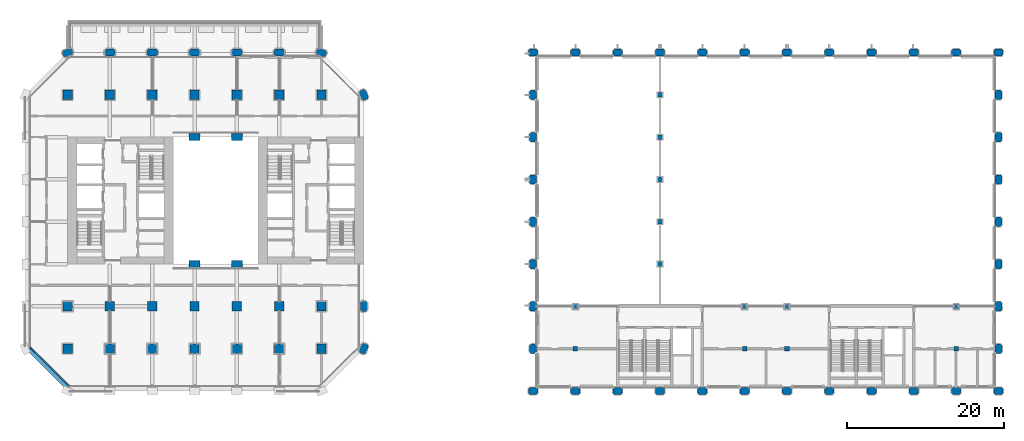
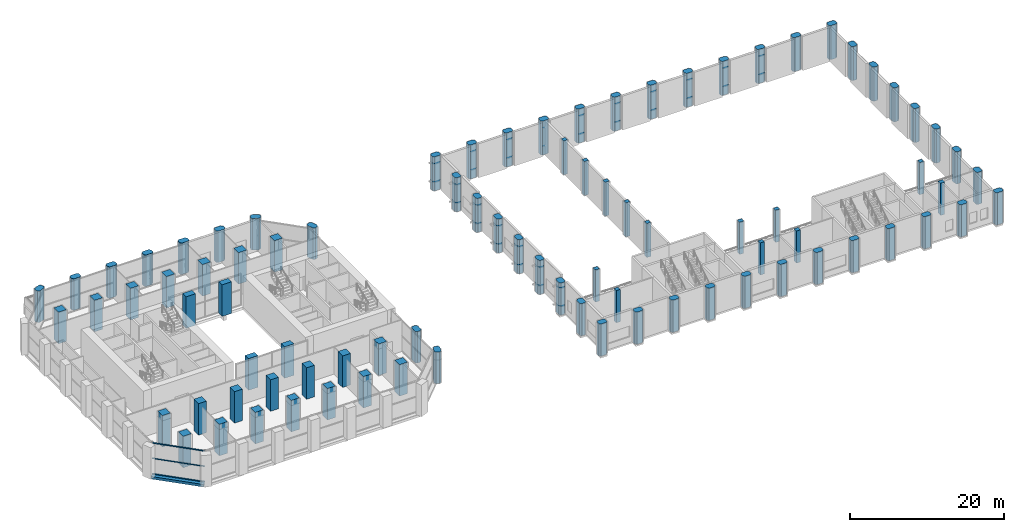
# One storey, part 1 of 27: 86 columns, 3 members, 1 beam, 1 element without a shape of its own.
"""IFC4 building model written with IfcOpenShell, lengths in metres."""

from ifc_helpers import new_model, si_unit, direction, frame, origin, origin_2d, place, context, subcontext, project, spatial, polyline, rectangle, outline, extrude, material, material_profile, profile_set, type_object, element, aggregate, save


model = new_model("IFC4")

# Units and contexts
model_context = context("Model", 3, precision=1e-05, world=origin(), true_north=direction((0.0, 1.0)))
body_context = subcontext(model_context, "Body", "Model", "MODEL_VIEW")
ifc_project = project(units=[si_unit("LENGTHUNIT", "METRE"), si_unit("AREAUNIT", "SQUARE_METRE"), si_unit("VOLUMEUNIT", "CUBIC_METRE"), si_unit("PLANEANGLEUNIT", "RADIAN"), si_unit("MASSUNIT", "GRAM", prefix="KILO")], contexts=[model_context])

# Site, building, storey
site_placement = place(None, origin())
site = spatial("IfcSite", under=ifc_project, at=site_placement, CompositionType="ELEMENT")
building_placement = place(site_placement, origin())
building = spatial("IfcBuilding", under=site, at=building_placement, Name="Tabaq Tower and Sports Hall", CompositionType="ELEMENT")
storey_placement = place(building_placement, frame((0.0, 0.0, 14.39990234375)))
storey = spatial("IfcBuildingStorey", under=building, at=storey_placement, Name="L02", CompositionType="ELEMENT", Elevation=14.39990234375)

# Columns
ifc_material_1 = material(Name="Concrete C50/60", Category="concrete")
ifc_material_profile_1 = material_profile(ifc_material_1, rectangle(XDim=0.60009765625, YDim=0.60009765625, at=origin_2d()), Name="RC 600x600")
ifc_profile_set_1 = profile_set([ifc_material_profile_1], Name="Concrete C50/60")
column_type_1 = type_object("IfcColumnType", Name="HALL COLUMN RC 600x600", PredefinedType="COLUMN", material=ifc_profile_set_1)
for number, where, z_axis, x_axis, name in (
    (1, (70.199951171875, 5.39990234375, 0.0), (0.0, 0.0, 1.0), (1.0, 0.0, 0.0), "Column 14B L02"),
    (2, (70.199951171875, 10.800048828125, 0.0), (0.0, 0.0, 1.0), (1.0, 0.0, 0.0), "Column 14C L02"),
):
    element("IfcColumn", number, at=place(storey_placement, frame(where, z_axis=z_axis, x_axis=x_axis)), inside=storey, type_object=column_type_1, Name=name, PredefinedType="COLUMN", context=body_context, shape_type="SweptSolid", body=[
        extrude(rectangle(XDim=0.60009765625, YDim=0.60009765625, at=origin_2d()), origin(), (0.0, 0.0, 1.0), 5.10009765625),
    ])
for number, where, z_axis, x_axis, name in (
    (3, (81.0, 16.199951171875, 0.0), (0.0, 0.0, 1.0), (1.0, 0.0, 0.0), "Column 16D L02"),
    (4, (81.0, 21.60009765625, 0.0), (0.0, 0.0, 1.0), (1.0, 0.0, 0.0), "Column 16E L02"),
    (5, (81.0, 27.0, 0.0), (0.0, 0.0, 1.0), (1.0, 0.0, 0.0), "Column 16F L02"),
    (6, (81.0, 32.39990234375, 0.0), (0.0, 0.0, 1.0), (1.0, 0.0, 0.0), "Column 16G L02"),
    (7, (81.0, 37.800048828125, 0.0), (0.0, 0.0, 1.0), (1.0, 0.0, 0.0), "Column 16H L02"),
):
    element("IfcColumn", number, at=place(storey_placement, frame(where, z_axis=z_axis, x_axis=x_axis)), inside=storey, type_object=column_type_1, Name=name, PredefinedType="COLUMN", context=body_context, shape_type="SweptSolid", body=[
        extrude(rectangle(XDim=0.60009765625, YDim=0.60009765625, at=origin_2d()), origin(), (0.0, 0.0, 1.0), 5.400146484375),
    ])
for number, where, z_axis, x_axis, name in (
    (8, (91.800048828125, 5.39990234375, 0.0), (0.0, 0.0, 1.0), (1.0, 0.0, 0.0), "Column 18B L02"),
    (9, (91.800048828125, 10.800048828125, 0.0), (0.0, 0.0, 1.0), (1.0, 0.0, 0.0), "Column 18C L02"),
    (10, (97.199951171875, 5.39990234375, 0.0), (0.0, 0.0, 1.0), (1.0, 0.0, 0.0), "Column 19B L02"),
    (11, (97.199951171875, 10.800048828125, 0.0), (0.0, 0.0, 1.0), (1.0, 0.0, 0.0), "Column 19C L02"),
    (12, (118.800048828125, 5.39990234375, 0.0), (0.0, 0.0, 1.0), (1.0, 0.0, 0.0), "Column 23B L02"),
    (13, (118.800048828125, 10.800048828125, 0.0), (0.0, 0.0, 1.0), (1.0, 0.0, 0.0), "Column 23C L02"),
):
    element("IfcColumn", number, at=place(storey_placement, frame(where, z_axis=z_axis, x_axis=x_axis)), inside=storey, type_object=column_type_1, Name=name, PredefinedType="COLUMN", context=body_context, shape_type="SweptSolid", body=[
        extrude(rectangle(XDim=0.60009765625, YDim=0.60009765625, at=origin_2d()), origin(), (0.0, 0.0, 1.0), 5.10009765625),
    ])
ifc_material_2 = material(Name="Concrete C50/60", Category="concrete")
ifc_material_profile_2 = material_profile(ifc_material_2, outline(polyline([(-0.39990234375, -0.449951171875), (0.39990234375, -0.449951171875), (0.60009765625, -0.25), (0.60009765625, 0.25), (0.39990234375, 0.449951171875), (-0.39990234375, 0.449951171875), (-0.60009765625, 0.25), (-0.60009765625, -0.25), (-0.39990234375, -0.449951171875)])), Name="PIER 1200x900")
ifc_profile_set_2 = profile_set([ifc_material_profile_2], Name="Concrete C50/60")
column_type_2 = type_object("IfcColumnType", Name="HALL PIER RC 1200x900", PredefinedType="COLUMN", material=ifc_profile_set_2)
for number, where, z_axis, x_axis, name in (
    (14, (64.800048828125, 0.0, 0.0), (0.0, 0.0, 1.0), (1.0, 0.0, 0.0), "Pier 13A L02"),
    (15, (64.800048828125, 5.39990234375, 0.0), (0.0, 0.0, 1.0), (0.0, 1.0, 0.0), "Pier 13B L02"),
    (16, (64.800048828125, 10.800048828125, 0.0), (0.0, 0.0, 1.0), (0.0, 1.0, 0.0), "Pier 13C L02"),
):
    element("IfcColumn", number, at=place(storey_placement, frame(where, z_axis=z_axis, x_axis=x_axis)), inside=storey, type_object=column_type_2, Name=name, PredefinedType="COLUMN", context=body_context, shape_type="SweptSolid", body=[
        extrude(outline(polyline([(-0.39990234375, -0.449951171875), (0.39990234375, -0.449951171875), (0.60009765625, -0.25), (0.60009765625, 0.25), (0.39990234375, 0.449951171875), (-0.39990234375, 0.449951171875), (-0.60009765625, 0.25), (-0.60009765625, -0.25), (-0.39990234375, -0.449951171875)])), origin(), (0.0, 0.0, 1.0), 5.10009765625),
    ])
for number, where, z_axis, x_axis, name in (
    (17, (64.800048828125, 16.199951171875, 0.0), (0.0, 0.0, 1.0), (0.0, 1.0, 0.0), "Pier 13D L02"),
    (18, (64.800048828125, 21.60009765625, 0.0), (0.0, 0.0, 1.0), (0.0, 1.0, 0.0), "Pier 13E L02"),
    (19, (64.800048828125, 27.0, 0.0), (0.0, 0.0, 1.0), (0.0, 1.0, 0.0), "Pier 13F L02"),
    (20, (64.800048828125, 32.39990234375, 0.0), (0.0, 0.0, 1.0), (0.0, 1.0, 0.0), "Pier 13G L02"),
    (21, (64.800048828125, 37.800048828125, 0.0), (0.0, 0.0, 1.0), (0.0, 1.0, 0.0), "Pier 13H L02"),
    (22, (64.800048828125, 43.199951171875, 0.0), (0.0, 0.0, 1.0), (1.0, 0.0, 0.0), "Pier 13I L02"),
):
    element("IfcColumn", number, at=place(storey_placement, frame(where, z_axis=z_axis, x_axis=x_axis)), inside=storey, type_object=column_type_2, Name=name, PredefinedType="COLUMN", context=body_context, shape_type="SweptSolid", body=[
        extrude(outline(polyline([(-0.39990234375, -0.449951171875), (0.39990234375, -0.449951171875), (0.60009765625, -0.25), (0.60009765625, 0.25), (0.39990234375, 0.449951171875), (-0.39990234375, 0.449951171875), (-0.60009765625, 0.25), (-0.60009765625, -0.25), (-0.39990234375, -0.449951171875)])), origin(), (0.0, 0.0, 1.0), 5.400146484375),
    ])
column_1_placement = place(storey_placement, frame((70.199951171875, 0.0, 0.0), z_axis=(0.0, 0.0, 1.0), x_axis=(1.0, 0.0, 0.0)))
element("IfcColumn", 23, at=column_1_placement, inside=storey, type_object=column_type_2, Name="Pier 14A L02", PredefinedType="COLUMN", context=body_context, shape_type="SweptSolid", body=[
    extrude(outline(polyline([(-0.39990234375, -0.449951171875), (0.39990234375, -0.449951171875), (0.60009765625, -0.25), (0.60009765625, 0.25), (0.39990234375, 0.449951171875), (-0.39990234375, 0.449951171875), (-0.60009765625, 0.25), (-0.60009765625, -0.25), (-0.39990234375, -0.449951171875)])), origin(), (0.0, 0.0, 1.0), 5.10009765625),
])
column_2_placement = place(storey_placement, frame((70.199951171875, 43.199951171875, 0.0), z_axis=(0.0, 0.0, 1.0), x_axis=(1.0, 0.0, 0.0)))
element("IfcColumn", 24, at=column_2_placement, inside=storey, type_object=column_type_2, Name="Pier 14I L02", PredefinedType="COLUMN", context=body_context, shape_type="SweptSolid", body=[
    extrude(outline(polyline([(-0.39990234375, -0.449951171875), (0.39990234375, -0.449951171875), (0.60009765625, -0.25), (0.60009765625, 0.25), (0.39990234375, 0.449951171875), (-0.39990234375, 0.449951171875), (-0.60009765625, 0.25), (-0.60009765625, -0.25), (-0.39990234375, -0.449951171875)])), origin(), (0.0, 0.0, 1.0), 5.400146484375),
])
column_3_placement = place(storey_placement, frame((75.60009765625, 0.0, 0.0), z_axis=(0.0, 0.0, 1.0), x_axis=(1.0, 0.0, 0.0)))
element("IfcColumn", 25, at=column_3_placement, inside=storey, type_object=column_type_2, Name="Pier 15A L02", PredefinedType="COLUMN", context=body_context, shape_type="SweptSolid", body=[
    extrude(outline(polyline([(-0.39990234375, -0.449951171875), (0.39990234375, -0.449951171875), (0.60009765625, -0.25), (0.60009765625, 0.25), (0.39990234375, 0.449951171875), (-0.39990234375, 0.449951171875), (-0.60009765625, 0.25), (-0.60009765625, -0.25), (-0.39990234375, -0.449951171875)])), origin(), (0.0, 0.0, 1.0), 5.10009765625),
])
column_4_placement = place(storey_placement, frame((75.60009765625, 43.199951171875, 0.0), z_axis=(0.0, 0.0, 1.0), x_axis=(1.0, 0.0, 0.0)))
element("IfcColumn", 26, at=column_4_placement, inside=storey, type_object=column_type_2, Name="Pier 15I L02", PredefinedType="COLUMN", context=body_context, shape_type="SweptSolid", body=[
    extrude(outline(polyline([(-0.39990234375, -0.449951171875), (0.39990234375, -0.449951171875), (0.60009765625, -0.25), (0.60009765625, 0.25), (0.39990234375, 0.449951171875), (-0.39990234375, 0.449951171875), (-0.60009765625, 0.25), (-0.60009765625, -0.25), (-0.39990234375, -0.449951171875)])), origin(), (0.0, 0.0, 1.0), 5.400146484375),
])
column_5_placement = place(storey_placement, frame((81.0, 0.0, 0.0), z_axis=(0.0, 0.0, 1.0), x_axis=(1.0, 0.0, 0.0)))
element("IfcColumn", 27, at=column_5_placement, inside=storey, type_object=column_type_2, Name="Pier 16A L02", PredefinedType="COLUMN", context=body_context, shape_type="SweptSolid", body=[
    extrude(outline(polyline([(-0.39990234375, -0.449951171875), (0.39990234375, -0.449951171875), (0.60009765625, -0.25), (0.60009765625, 0.25), (0.39990234375, 0.449951171875), (-0.39990234375, 0.449951171875), (-0.60009765625, 0.25), (-0.60009765625, -0.25), (-0.39990234375, -0.449951171875)])), origin(), (0.0, 0.0, 1.0), 5.10009765625),
])
column_6_placement = place(storey_placement, frame((81.0, 43.199951171875, 0.0), z_axis=(0.0, 0.0, 1.0), x_axis=(1.0, 0.0, 0.0)))
element("IfcColumn", 28, at=column_6_placement, inside=storey, type_object=column_type_2, Name="Pier 16I L02", PredefinedType="COLUMN", context=body_context, shape_type="SweptSolid", body=[
    extrude(outline(polyline([(-0.39990234375, -0.449951171875), (0.39990234375, -0.449951171875), (0.60009765625, -0.25), (0.60009765625, 0.25), (0.39990234375, 0.449951171875), (-0.39990234375, 0.449951171875), (-0.60009765625, 0.25), (-0.60009765625, -0.25), (-0.39990234375, -0.449951171875)])), origin(), (0.0, 0.0, 1.0), 5.400146484375),
])
column_7_placement = place(storey_placement, frame((86.39990234375, 0.0, 0.0), z_axis=(0.0, 0.0, 1.0), x_axis=(1.0, 0.0, 0.0)))
element("IfcColumn", 29, at=column_7_placement, inside=storey, type_object=column_type_2, Name="Pier 17A L02", PredefinedType="COLUMN", context=body_context, shape_type="SweptSolid", body=[
    extrude(outline(polyline([(-0.39990234375, -0.449951171875), (0.39990234375, -0.449951171875), (0.60009765625, -0.25), (0.60009765625, 0.25), (0.39990234375, 0.449951171875), (-0.39990234375, 0.449951171875), (-0.60009765625, 0.25), (-0.60009765625, -0.25), (-0.39990234375, -0.449951171875)])), origin(), (0.0, 0.0, 1.0), 5.10009765625),
])
column_8_placement = place(storey_placement, frame((86.39990234375, 43.199951171875, 0.0), z_axis=(0.0, 0.0, 1.0), x_axis=(1.0, 0.0, 0.0)))
element("IfcColumn", 30, at=column_8_placement, inside=storey, type_object=column_type_2, Name="Pier 17I L02", PredefinedType="COLUMN", context=body_context, shape_type="SweptSolid", body=[
    extrude(outline(polyline([(-0.39990234375, -0.449951171875), (0.39990234375, -0.449951171875), (0.60009765625, -0.25), (0.60009765625, 0.25), (0.39990234375, 0.449951171875), (-0.39990234375, 0.449951171875), (-0.60009765625, 0.25), (-0.60009765625, -0.25), (-0.39990234375, -0.449951171875)])), origin(), (0.0, 0.0, 1.0), 5.400146484375),
])
column_9_placement = place(storey_placement, frame((91.800048828125, 0.0, 0.0), z_axis=(0.0, 0.0, 1.0), x_axis=(1.0, 0.0, 0.0)))
element("IfcColumn", 31, at=column_9_placement, inside=storey, type_object=column_type_2, Name="Pier 18A L02", PredefinedType="COLUMN", context=body_context, shape_type="SweptSolid", body=[
    extrude(outline(polyline([(-0.39990234375, -0.449951171875), (0.39990234375, -0.449951171875), (0.60009765625, -0.25), (0.60009765625, 0.25), (0.39990234375, 0.449951171875), (-0.39990234375, 0.449951171875), (-0.60009765625, 0.25), (-0.60009765625, -0.25), (-0.39990234375, -0.449951171875)])), origin(), (0.0, 0.0, 1.0), 5.10009765625),
])
column_10_placement = place(storey_placement, frame((91.800048828125, 43.199951171875, 0.0), z_axis=(0.0, 0.0, 1.0), x_axis=(1.0, 0.0, 0.0)))
element("IfcColumn", 32, at=column_10_placement, inside=storey, type_object=column_type_2, Name="Pier 18I L02", PredefinedType="COLUMN", context=body_context, shape_type="SweptSolid", body=[
    extrude(outline(polyline([(-0.39990234375, -0.449951171875), (0.39990234375, -0.449951171875), (0.60009765625, -0.25), (0.60009765625, 0.25), (0.39990234375, 0.449951171875), (-0.39990234375, 0.449951171875), (-0.60009765625, 0.25), (-0.60009765625, -0.25), (-0.39990234375, -0.449951171875)])), origin(), (0.0, 0.0, 1.0), 5.400146484375),
])
column_11_placement = place(storey_placement, frame((97.199951171875, 0.0, 0.0), z_axis=(0.0, 0.0, 1.0), x_axis=(1.0, 0.0, 0.0)))
element("IfcColumn", 33, at=column_11_placement, inside=storey, type_object=column_type_2, Name="Pier 19A L02", PredefinedType="COLUMN", context=body_context, shape_type="SweptSolid", body=[
    extrude(outline(polyline([(-0.39990234375, -0.449951171875), (0.39990234375, -0.449951171875), (0.60009765625, -0.25), (0.60009765625, 0.25), (0.39990234375, 0.449951171875), (-0.39990234375, 0.449951171875), (-0.60009765625, 0.25), (-0.60009765625, -0.25), (-0.39990234375, -0.449951171875)])), origin(), (0.0, 0.0, 1.0), 5.10009765625),
])
column_12_placement = place(storey_placement, frame((97.199951171875, 43.199951171875, 0.0), z_axis=(0.0, 0.0, 1.0), x_axis=(1.0, 0.0, 0.0)))
element("IfcColumn", 34, at=column_12_placement, inside=storey, type_object=column_type_2, Name="Pier 19I L02", PredefinedType="COLUMN", context=body_context, shape_type="SweptSolid", body=[
    extrude(outline(polyline([(-0.39990234375, -0.449951171875), (0.39990234375, -0.449951171875), (0.60009765625, -0.25), (0.60009765625, 0.25), (0.39990234375, 0.449951171875), (-0.39990234375, 0.449951171875), (-0.60009765625, 0.25), (-0.60009765625, -0.25), (-0.39990234375, -0.449951171875)])), origin(), (0.0, 0.0, 1.0), 5.400146484375),
])
column_13_placement = place(storey_placement, frame((102.60009765625, 0.0, 0.0), z_axis=(0.0, 0.0, 1.0), x_axis=(1.0, 0.0, 0.0)))
element("IfcColumn", 35, at=column_13_placement, inside=storey, type_object=column_type_2, Name="Pier 20A L02", PredefinedType="COLUMN", context=body_context, shape_type="SweptSolid", body=[
    extrude(outline(polyline([(-0.39990234375, -0.449951171875), (0.39990234375, -0.449951171875), (0.60009765625, -0.25), (0.60009765625, 0.25), (0.39990234375, 0.449951171875), (-0.39990234375, 0.449951171875), (-0.60009765625, 0.25), (-0.60009765625, -0.25), (-0.39990234375, -0.449951171875)])), origin(), (0.0, 0.0, 1.0), 5.10009765625),
])
column_14_placement = place(storey_placement, frame((102.60009765625, 43.199951171875, 0.0), z_axis=(0.0, 0.0, 1.0), x_axis=(1.0, 0.0, 0.0)))
element("IfcColumn", 36, at=column_14_placement, inside=storey, type_object=column_type_2, Name="Pier 20I L02", PredefinedType="COLUMN", context=body_context, shape_type="SweptSolid", body=[
    extrude(outline(polyline([(-0.39990234375, -0.449951171875), (0.39990234375, -0.449951171875), (0.60009765625, -0.25), (0.60009765625, 0.25), (0.39990234375, 0.449951171875), (-0.39990234375, 0.449951171875), (-0.60009765625, 0.25), (-0.60009765625, -0.25), (-0.39990234375, -0.449951171875)])), origin(), (0.0, 0.0, 1.0), 5.400146484375),
])
column_15_placement = place(storey_placement, frame((108.0, 0.0, 0.0), z_axis=(0.0, 0.0, 1.0), x_axis=(1.0, 0.0, 0.0)))
element("IfcColumn", 37, at=column_15_placement, inside=storey, type_object=column_type_2, Name="Pier 21A L02", PredefinedType="COLUMN", context=body_context, shape_type="SweptSolid", body=[
    extrude(outline(polyline([(-0.39990234375, -0.449951171875), (0.39990234375, -0.449951171875), (0.60009765625, -0.25), (0.60009765625, 0.25), (0.39990234375, 0.449951171875), (-0.39990234375, 0.449951171875), (-0.60009765625, 0.25), (-0.60009765625, -0.25), (-0.39990234375, -0.449951171875)])), origin(), (0.0, 0.0, 1.0), 5.10009765625),
])
column_16_placement = place(storey_placement, frame((108.0, 43.199951171875, 0.0), z_axis=(0.0, 0.0, 1.0), x_axis=(1.0, 0.0, 0.0)))
element("IfcColumn", 38, at=column_16_placement, inside=storey, type_object=column_type_2, Name="Pier 21I L02", PredefinedType="COLUMN", context=body_context, shape_type="SweptSolid", body=[
    extrude(outline(polyline([(-0.39990234375, -0.449951171875), (0.39990234375, -0.449951171875), (0.60009765625, -0.25), (0.60009765625, 0.25), (0.39990234375, 0.449951171875), (-0.39990234375, 0.449951171875), (-0.60009765625, 0.25), (-0.60009765625, -0.25), (-0.39990234375, -0.449951171875)])), origin(), (0.0, 0.0, 1.0), 5.400146484375),
])
column_17_placement = place(storey_placement, frame((113.39990234375, 0.0, 0.0), z_axis=(0.0, 0.0, 1.0), x_axis=(1.0, 0.0, 0.0)))
element("IfcColumn", 39, at=column_17_placement, inside=storey, type_object=column_type_2, Name="Pier 22A L02", PredefinedType="COLUMN", context=body_context, shape_type="SweptSolid", body=[
    extrude(outline(polyline([(-0.39990234375, -0.449951171875), (0.39990234375, -0.449951171875), (0.60009765625, -0.25), (0.60009765625, 0.25), (0.39990234375, 0.449951171875), (-0.39990234375, 0.449951171875), (-0.60009765625, 0.25), (-0.60009765625, -0.25), (-0.39990234375, -0.449951171875)])), origin(), (0.0, 0.0, 1.0), 5.10009765625),
])
column_18_placement = place(storey_placement, frame((113.39990234375, 43.199951171875, 0.0), z_axis=(0.0, 0.0, 1.0), x_axis=(1.0, 0.0, 0.0)))
element("IfcColumn", 40, at=column_18_placement, inside=storey, type_object=column_type_2, Name="Pier 22I L02", PredefinedType="COLUMN", context=body_context, shape_type="SweptSolid", body=[
    extrude(outline(polyline([(-0.39990234375, -0.449951171875), (0.39990234375, -0.449951171875), (0.60009765625, -0.25), (0.60009765625, 0.25), (0.39990234375, 0.449951171875), (-0.39990234375, 0.449951171875), (-0.60009765625, 0.25), (-0.60009765625, -0.25), (-0.39990234375, -0.449951171875)])), origin(), (0.0, 0.0, 1.0), 5.400146484375),
])
column_19_placement = place(storey_placement, frame((118.800048828125, 0.0, 0.0), z_axis=(0.0, 0.0, 1.0), x_axis=(1.0, 0.0, 0.0)))
element("IfcColumn", 41, at=column_19_placement, inside=storey, type_object=column_type_2, Name="Pier 23A L02", PredefinedType="COLUMN", context=body_context, shape_type="SweptSolid", body=[
    extrude(outline(polyline([(-0.39990234375, -0.449951171875), (0.39990234375, -0.449951171875), (0.60009765625, -0.25), (0.60009765625, 0.25), (0.39990234375, 0.449951171875), (-0.39990234375, 0.449951171875), (-0.60009765625, 0.25), (-0.60009765625, -0.25), (-0.39990234375, -0.449951171875)])), origin(), (0.0, 0.0, 1.0), 5.10009765625),
])
column_20_placement = place(storey_placement, frame((118.800048828125, 43.199951171875, 0.0), z_axis=(0.0, 0.0, 1.0), x_axis=(1.0, 0.0, 0.0)))
element("IfcColumn", 42, at=column_20_placement, inside=storey, type_object=column_type_2, Name="Pier 23I L02", PredefinedType="COLUMN", context=body_context, shape_type="SweptSolid", body=[
    extrude(outline(polyline([(-0.39990234375, -0.449951171875), (0.39990234375, -0.449951171875), (0.60009765625, -0.25), (0.60009765625, 0.25), (0.39990234375, 0.449951171875), (-0.39990234375, 0.449951171875), (-0.60009765625, 0.25), (-0.60009765625, -0.25), (-0.39990234375, -0.449951171875)])), origin(), (0.0, 0.0, 1.0), 5.400146484375),
])
for number, where, z_axis, x_axis, name in (
    (43, (124.199951171875, 0.0, 0.0), (0.0, 0.0, 1.0), (1.0, 0.0, 0.0), "Pier 24A L02"),
    (44, (124.199951171875, 5.39990234375, 0.0), (0.0, 0.0, 1.0), (0.0, 1.0, 0.0), "Pier 24B L02"),
    (45, (124.199951171875, 10.800048828125, 0.0), (0.0, 0.0, 1.0), (0.0, 1.0, 0.0), "Pier 24C L02"),
):
    element("IfcColumn", number, at=place(storey_placement, frame(where, z_axis=z_axis, x_axis=x_axis)), inside=storey, type_object=column_type_2, Name=name, PredefinedType="COLUMN", context=body_context, shape_type="SweptSolid", body=[
        extrude(outline(polyline([(-0.39990234375, -0.449951171875), (0.39990234375, -0.449951171875), (0.60009765625, -0.25), (0.60009765625, 0.25), (0.39990234375, 0.449951171875), (-0.39990234375, 0.449951171875), (-0.60009765625, 0.25), (-0.60009765625, -0.25), (-0.39990234375, -0.449951171875)])), origin(), (0.0, 0.0, 1.0), 5.10009765625),
    ])
for number, where, z_axis, x_axis, name in (
    (46, (124.199951171875, 16.199951171875, 0.0), (0.0, 0.0, 1.0), (0.0, 1.0, 0.0), "Pier 24D L02"),
    (47, (124.199951171875, 21.60009765625, 0.0), (0.0, 0.0, 1.0), (0.0, 1.0, 0.0), "Pier 24E L02"),
    (48, (124.199951171875, 27.0, 0.0), (0.0, 0.0, 1.0), (0.0, 1.0, 0.0), "Pier 24F L02"),
    (49, (124.199951171875, 32.39990234375, 0.0), (0.0, 0.0, 1.0), (0.0, 1.0, 0.0), "Pier 24G L02"),
    (50, (124.199951171875, 37.800048828125, 0.0), (0.0, 0.0, 1.0), (0.0, 1.0, 0.0), "Pier 24H L02"),
    (51, (124.199951171875, 43.199951171875, 0.0), (0.0, 0.0, 1.0), (1.0, 0.0, 0.0), "Pier 24I L02"),
):
    element("IfcColumn", number, at=place(storey_placement, frame(where, z_axis=z_axis, x_axis=x_axis)), inside=storey, type_object=column_type_2, Name=name, PredefinedType="COLUMN", context=body_context, shape_type="SweptSolid", body=[
        extrude(outline(polyline([(-0.39990234375, -0.449951171875), (0.39990234375, -0.449951171875), (0.60009765625, -0.25), (0.60009765625, 0.25), (0.39990234375, 0.449951171875), (-0.39990234375, 0.449951171875), (-0.60009765625, 0.25), (-0.60009765625, -0.25), (-0.39990234375, -0.449951171875)])), origin(), (0.0, 0.0, 1.0), 5.400146484375),
    ])
ifc_material_3 = material(Name="Concrete C60/75", Category="concrete")
ifc_material_profile_3 = material_profile(ifc_material_3, rectangle(XDim=1.39990234375, YDim=0.89990234375, at=origin_2d()), Name="ATRIUM COLUMN 1400x900")
ifc_profile_set_3 = profile_set([ifc_material_profile_3], Name="Concrete C60/75")
column_type_3 = type_object("IfcColumnType", Name="RC COLUMN ATRIUM COLUMN 1400x900 C60/75", PredefinedType="COLUMN", material=ifc_profile_set_3)
for number, where, z_axis, x_axis, name in (
    (52, (21.60009765625, 16.199951171875, 0.0), (0.0, 0.0, 1.0), (1.0, 0.0, 0.0), "Atrium Column 5/D L02"),
    (53, (27.0, 16.199951171875, 0.0), (0.0, 0.0, 1.0), (1.0, 0.0, 0.0), "Atrium Column 6/D L02"),
    (54, (21.60009765625, 32.39990234375, 0.0), (0.0, 0.0, 1.0), (1.0, 0.0, 0.0), "Atrium Column 5/G L02"),
    (55, (27.0, 32.39990234375, 0.0), (0.0, 0.0, 1.0), (1.0, 0.0, 0.0), "Atrium Column 6/G L02"),
):
    element("IfcColumn", number, at=place(storey_placement, frame(where, z_axis=z_axis, x_axis=x_axis)), inside=storey, type_object=column_type_3, Name=name, PredefinedType="COLUMN", context=body_context, shape_type="SweptSolid", body=[
        extrude(rectangle(XDim=1.39990234375, YDim=0.89990234375, at=origin_2d()), origin(), (0.0, 0.0, 1.0), 5.0),
    ])
ifc_material_4 = material(Name="Concrete C60/75", Category="concrete")
ifc_material_profile_4 = material_profile(ifc_material_4, rectangle(XDim=1.199951171875, YDim=1.199951171875, at=origin_2d()), Name="COLUMN 1200x1200")
ifc_profile_set_4 = profile_set([ifc_material_profile_4], Name="Concrete C60/75")
column_type_4 = type_object("IfcColumnType", Name="RC COLUMN COLUMN 1200x1200 C60/75", PredefinedType="COLUMN", material=ifc_profile_set_4)
for number, where, z_axis, x_axis, name in (
    (56, (5.39990234375, 5.39990234375, 0.0), (0.0, 0.0, 1.0), (1.0, 0.0, 0.0), "Column 2/B L02"),
    (57, (10.800048828125, 5.39990234375, 0.0), (0.0, 0.0, 1.0), (1.0, 0.0, 0.0), "Column 3/B L02"),
    (58, (16.199951171875, 5.39990234375, 0.0), (0.0, 0.0, 1.0), (1.0, 0.0, 0.0), "Column 4/B L02"),
    (59, (21.60009765625, 5.39990234375, 0.0), (0.0, 0.0, 1.0), (1.0, 0.0, 0.0), "Column 5/B L02"),
    (60, (27.0, 5.39990234375, 0.0), (0.0, 0.0, 1.0), (1.0, 0.0, 0.0), "Column 6/B L02"),
    (61, (32.39990234375, 5.39990234375, 0.0), (0.0, 0.0, 1.0), (1.0, 0.0, 0.0), "Column 7/B L02"),
    (62, (37.800048828125, 5.39990234375, 0.0), (0.0, 0.0, 1.0), (1.0, 0.0, 0.0), "Column 8/B L02"),
    (63, (5.39990234375, 10.800048828125, 0.0), (0.0, 0.0, 1.0), (1.0, 0.0, 0.0), "Column 2/C L02"),
    (64, (10.800048828125, 10.800048828125, 0.0), (0.0, 0.0, 1.0), (1.0, 0.0, 0.0), "Column 3/C L02"),
    (65, (16.199951171875, 10.800048828125, 0.0), (0.0, 0.0, 1.0), (1.0, 0.0, 0.0), "Column 4/C L02"),
    (66, (21.60009765625, 10.800048828125, 0.0), (0.0, 0.0, 1.0), (1.0, 0.0, 0.0), "Column 5/C L02"),
    (67, (27.0, 10.800048828125, 0.0), (0.0, 0.0, 1.0), (1.0, 0.0, 0.0), "Column 6/C L02"),
    (68, (32.39990234375, 10.800048828125, 0.0), (0.0, 0.0, 1.0), (1.0, 0.0, 0.0), "Column 7/C L02"),
    (69, (37.800048828125, 10.800048828125, 0.0), (0.0, 0.0, 1.0), (1.0, 0.0, 0.0), "Column 8/C L02"),
    (70, (5.39990234375, 37.800048828125, 0.0), (0.0, 0.0, 1.0), (1.0, 0.0, 0.0), "Column 2/H L02"),
    (71, (10.800048828125, 37.800048828125, 0.0), (0.0, 0.0, 1.0), (1.0, 0.0, 0.0), "Column 3/H L02"),
    (72, (16.199951171875, 37.800048828125, 0.0), (0.0, 0.0, 1.0), (1.0, 0.0, 0.0), "Column 4/H L02"),
    (73, (21.60009765625, 37.800048828125, 0.0), (0.0, 0.0, 1.0), (1.0, 0.0, 0.0), "Column 5/H L02"),
    (74, (27.0, 37.800048828125, 0.0), (0.0, 0.0, 1.0), (1.0, 0.0, 0.0), "Column 6/H L02"),
    (75, (32.39990234375, 37.800048828125, 0.0), (0.0, 0.0, 1.0), (1.0, 0.0, 0.0), "Column 7/H L02"),
    (76, (37.800048828125, 37.800048828125, 0.0), (0.0, 0.0, 1.0), (1.0, 0.0, 0.0), "Column 8/H L02"),
):
    element("IfcColumn", number, at=place(storey_placement, frame(where, z_axis=z_axis, x_axis=x_axis)), inside=storey, type_object=column_type_4, Name=name, PredefinedType="COLUMN", context=body_context, shape_type="SweptSolid", body=[
        extrude(rectangle(XDim=1.199951171875, YDim=1.199951171875, at=origin_2d()), origin(), (0.0, 0.0, 1.0), 5.0),
    ])
ifc_material_5 = material(Name="Concrete C60/75", Category="concrete")
ifc_material_profile_5 = material_profile(ifc_material_5, outline(polyline([(-0.449951171875, -0.449951171875), (0.449951171875, -0.449951171875), (0.675048828125, -0.22509765625), (0.675048828125, 0.22509765625), (0.449951171875, 0.449951171875), (-0.449951171875, 0.449951171875), (-0.675048828125, 0.22509765625), (-0.675048828125, -0.22509765625), (-0.449951171875, -0.449951171875)])), Name="PIER 1350x900")
ifc_profile_set_5 = profile_set([ifc_material_profile_5], Name="Concrete C60/75")
column_type_5 = type_object("IfcColumnType", Name="RC COLUMN PIER 1350x900 C60/75", PredefinedType="COLUMN", material=ifc_profile_set_5)
for number, where, z_axis, x_axis, name in (
    (77, (43.199951171875, 5.39990234375, 0.0), (0.0, 0.0, 1.0), (0.382683432365, 0.923879532511, 0.0), "Pier 9/B L02"),
    (78, (43.199951171875, 10.800048828125, 0.0), (0.0, 0.0, 1.0), (0.0, 1.0, 0.0), "Pier 9/C L02"),
    (79, (43.199951171875, 37.800048828125, 0.0), (0.0, 0.0, 1.0), (-0.382683432365, 0.923879532511, 0.0), "Pier 9/H L02"),
    (80, (5.39990234375, 43.199951171875, 0.0), (0.0, 0.0, 1.0), (0.923879532511, 0.382683432365, 0.0), "Pier 2/I L02"),
    (81, (10.800048828125, 43.199951171875, 0.0), (0.0, 0.0, 1.0), (1.0, 0.0, 0.0), "Pier 3/I L02"),
    (82, (16.199951171875, 43.199951171875, 0.0), (0.0, 0.0, 1.0), (1.0, 0.0, 0.0), "Pier 4/I L02"),
    (83, (21.60009765625, 43.199951171875, 0.0), (0.0, 0.0, 1.0), (1.0, 0.0, 0.0), "Pier 5/I L02"),
    (84, (27.0, 43.199951171875, 0.0), (0.0, 0.0, 1.0), (1.0, 0.0, 0.0), "Pier 6/I L02"),
    (85, (32.39990234375, 43.199951171875, 0.0), (0.0, 0.0, 1.0), (1.0, 0.0, 0.0), "Pier 7/I L02"),
    (86, (37.800048828125, 43.199951171875, 0.0), (0.0, 0.0, 1.0), (-0.923879532511, 0.382683432365, 0.0), "Pier 8/I L02"),
):
    element("IfcColumn", number, at=place(storey_placement, frame(where, z_axis=z_axis, x_axis=x_axis)), inside=storey, type_object=column_type_5, Name=name, PredefinedType="COLUMN", context=body_context, shape_type="SweptSolid", body=[
        extrude(outline(polyline([(-0.449951171875, -0.449951171875), (0.449951171875, -0.449951171875), (0.675048828125, -0.22509765625), (0.675048828125, 0.22509765625), (0.449951171875, 0.449951171875), (-0.449951171875, 0.449951171875), (-0.675048828125, 0.22509765625), (-0.675048828125, -0.22509765625), (-0.449951171875, -0.449951171875)])), origin(), (0.0, 0.0, 1.0), 5.0),
    ])

# Curtain wall, members
ifc_material_6 = material(Name="Aluminium alloy 6063-T6 framed glazing", Category="aluminium")
curtain_wall_type = type_object("IfcCurtainWallType", Name="CW7 curtain wall", PredefinedType="USERDEFINED", material=ifc_material_6)
curtain_wall_placement = place(storey_placement, origin())
curtain_wall = element("IfcCurtainWall", 87, at=curtain_wall_placement, inside=storey, type_object=curtain_wall_type, Name="Podium Wall L02 SW", ObjectType="PODIUM WALL", PredefinedType="USERDEFINED")
ifc_material_7 = material(Name="Aluminium alloy 6063-T6", Category="aluminium")
ifc_material_profile_6 = material_profile(ifc_material_7, rectangle(XDim=0.139892578125, YDim=0.06494140625, at=origin_2d()), Name="TRANSOM 140x65")
ifc_profile_set_6 = profile_set([ifc_material_profile_6], Name="Aluminium alloy 6063-T6")
member_type = type_object("IfcMemberType", Name="CW7 transom 140x65", PredefinedType="USERDEFINED", material=ifc_profile_set_6)
member_1_placement = place(storey_placement, frame((0.64599609375, 5.6025390625, 0.070068359375), z_axis=(0.707106781187, -0.707106781187, 0.0), x_axis=(0.707106781187, 0.707106781187, 0.0)))
member_1 = element("IfcMember", 88, at=member_1_placement, type_object=member_type, Name="CW7 transom 1.1", ObjectType="TRANSOM", PredefinedType="USERDEFINED", context=body_context, shape_type="SweptSolid", body=[
    extrude(rectangle(XDim=0.139892578125, YDim=0.06494140625, at=origin_2d()), origin(), (0.0, 0.0, 1.0), 7.009521484375),
])
member_2_placement = place(storey_placement, frame((0.64599609375, 5.6025390625, 2.5), z_axis=(0.707106781187, -0.707106781187, 0.0), x_axis=(0.707106781187, 0.707106781187, 0.0)))
member_2 = element("IfcMember", 89, at=member_2_placement, type_object=member_type, Name="CW7 transom 1.2", ObjectType="TRANSOM", PredefinedType="USERDEFINED", context=body_context, shape_type="SweptSolid", body=[
    extrude(rectangle(XDim=0.139892578125, YDim=0.06494140625, at=origin_2d()), origin(), (0.0, 0.0, 1.0), 7.009521484375),
])
member_3_placement = place(storey_placement, frame((0.64599609375, 5.6025390625, 4.93017578125), z_axis=(0.707106781187, -0.707106781187, 0.0), x_axis=(0.707106781187, 0.707106781187, 0.0)))
member_3 = element("IfcMember", 90, at=member_3_placement, type_object=member_type, Name="CW7 transom 1.3", ObjectType="TRANSOM", PredefinedType="USERDEFINED", context=body_context, shape_type="SweptSolid", body=[
    extrude(rectangle(XDim=0.139892578125, YDim=0.06494140625, at=origin_2d()), origin(), (0.0, 0.0, 1.0), 7.009521484375),
])
aggregate(curtain_wall, [member_1, member_2, member_3])

# Beam
ifc_material_8 = material(Name="Concrete C40/50", Category="concrete")
ifc_material_profile_7 = material_profile(ifc_material_8, rectangle(XDim=0.60009765625, YDim=0.39990234375, at=origin_2d()), Name="EB 600x400")
ifc_profile_set_7 = profile_set([ifc_material_profile_7], Name="Concrete C40/50")
beam_type = type_object("IfcBeamType", Name="PT EDGE BEAM EB 600x400 C40/50", PredefinedType="SPANDREL", material=ifc_profile_set_7)
beam_placement = place(storey_placement, frame((0.42333984375, 5.401123046875, -0.199951171875), z_axis=(0.707106781187, -0.707106781187, 0.0), x_axis=(0.707106781187, 0.707106781187, 0.0)))
element("IfcBeam", 91, at=beam_placement, inside=storey, type_object=beam_type, Name="Edge Beam L02 5", PredefinedType="SPANDREL", context=body_context, shape_type="SweptSolid", body=[
    extrude(rectangle(XDim=0.60009765625, YDim=0.39990234375, at=origin_2d()), origin(), (0.0, 0.0, 1.0), 7.03955078125),
])

save(model, "model.ifc")
